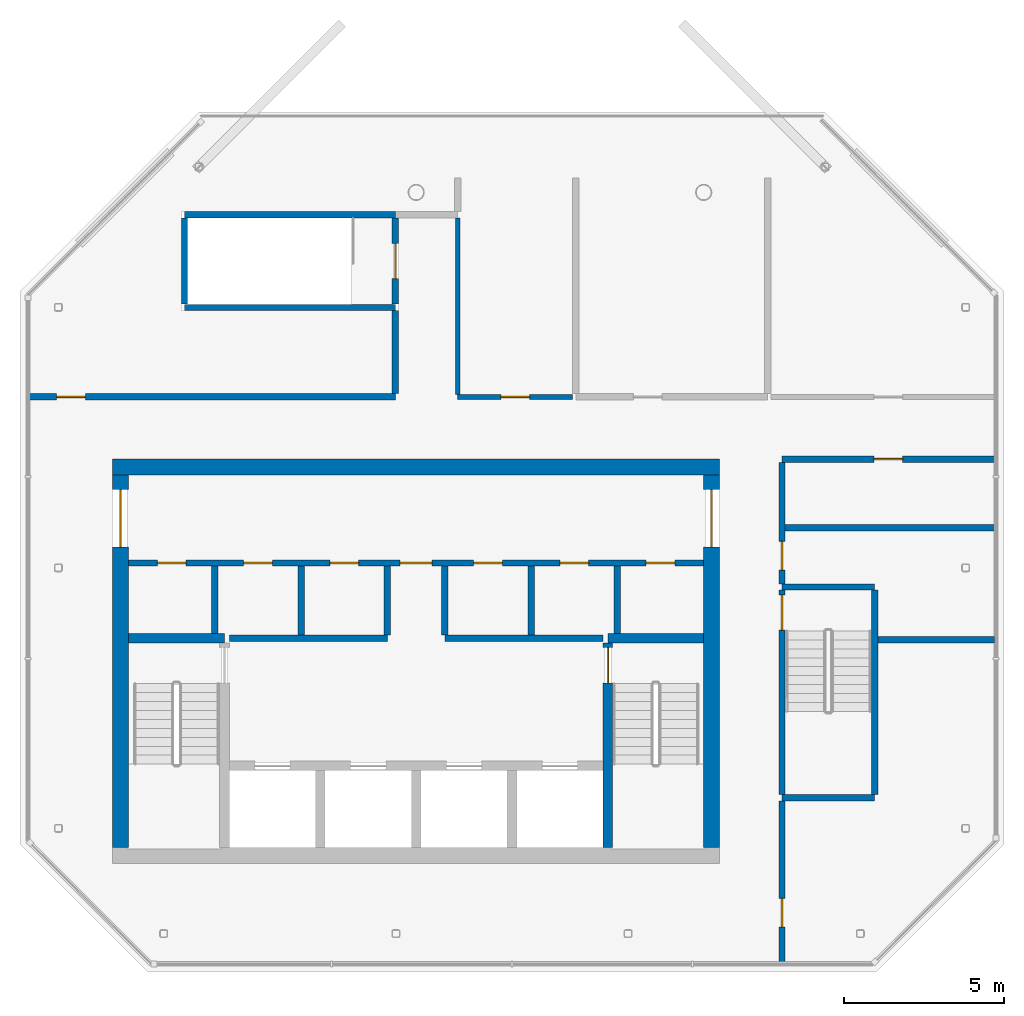
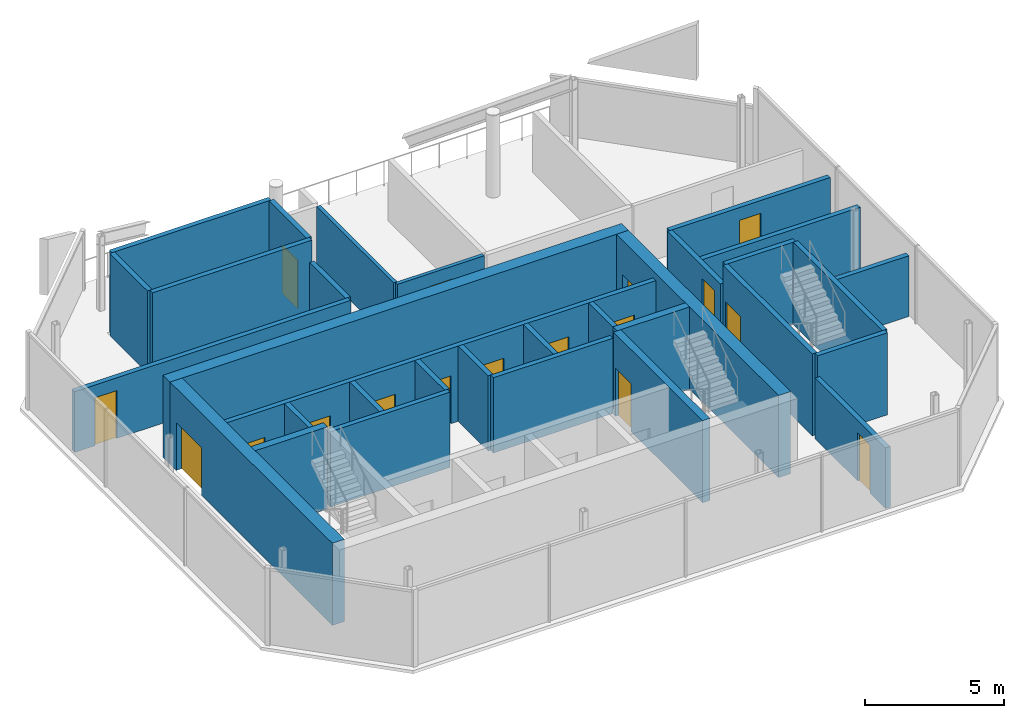
# One storey, part 3 of 5: 32 walls, 17 doors, 17 openings.
"""IFC4 building model written with IfcOpenShell, lengths in metres."""

from ifc_helpers import new_model, si_unit, direction, frame, frame_2d, origin, place, context, subcontext, project, spatial, polyline, rectangle, outline, extrude, material, layer, layer_set, type_object, element, fill, save


model = new_model("IFC4")

# Units and contexts
model_context = context("Model", 3, precision=1e-05, world=origin(), true_north=direction((0.0, 1.0)))
body_context = subcontext(model_context, "Body", "Model", "MODEL_VIEW")
ifc_project = project(units=[si_unit("LENGTHUNIT", "METRE"), si_unit("AREAUNIT", "SQUARE_METRE"), si_unit("VOLUMEUNIT", "CUBIC_METRE"), si_unit("PLANEANGLEUNIT", "RADIAN"), si_unit("MASSUNIT", "GRAM", prefix="KILO")], contexts=[model_context])

# Site, building, storey
site_placement = place(None, origin())
site = spatial("IfcSite", under=ifc_project, at=site_placement, CompositionType="ELEMENT")
building_placement = place(site_placement, origin())
building = spatial("IfcBuilding", under=site, at=building_placement, Name="Tskaro Facet Tower", CompositionType="ELEMENT")
storey_placement = place(building_placement, frame((0.0, 0.0, 300.89990234375)))
storey = spatial("IfcBuildingStorey", under=building, at=storey_placement, Name="L81", CompositionType="ELEMENT", Elevation=300.89990234375)

# Walls
ifc_material_1 = material(Name="Concrete C60/75", Category="concrete")
ifc_layer_1 = layer(ifc_material_1, 0.300048828125, Name="Concrete C60/75")
ifc_layer_set_1 = layer_set([ifc_layer_1], Name="Concrete C60/75")
wall_type_1 = type_object("IfcWallType", Name="CORE-SHAFT", PredefinedType="SHEAR", material=ifc_layer_set_1)
for number, where, z_axis, x_axis, name in (
    (1, (-9.0, -4.949951171875, 0.0), (0.0, 0.0, 1.0), (1.0, 0.0, 0.0), "Shaft wall W004"),
    (2, (6.0, -4.949951171875, 0.0), (0.0, 0.0, 1.0), (1.0, 0.0, 0.0), "Shaft wall W007"),
):
    element("IfcWall", number, at=place(storey_placement, frame(where, z_axis=z_axis, x_axis=x_axis)), inside=storey, type_object=wall_type_1, Name=name, PredefinedType="SHEAR", context=body_context, shape_type="SweptSolid", body=[
        extrude(rectangle(XDim=3.0, YDim=0.300048828125, at=frame_2d((1.5, 0.0))), origin(), (0.0, 0.0, 1.0), 3.60009765625),
    ])

# Wall, opening, door
wall_1_placement = place(storey_placement, frame((6.0, -5.10009765625, 0.0), z_axis=(0.0, 0.0, 1.0), x_axis=(0.0, -1.0, 0.0)))
wall_1 = element("IfcWall", 3, at=wall_1_placement, inside=storey, type_object=wall_type_1, Name="Shaft wall W034", PredefinedType="SHEAR", context=body_context, shape_type="SweptSolid", body=[
    extrude(rectangle(XDim=6.39990234375, YDim=0.300048828125, at=frame_2d((3.199951171875, 0.0))), origin(), (0.0, 0.0, 1.0), 3.60009765625),
])
opening_1_placement = place(wall_1_placement, frame((0.14990234375, 0.0, 0.0)))
opening_1 = element("IfcOpeningElement", 4, at=opening_1_placement, cuts=wall_1, Name="Opening ST-2-D1", PredefinedType="OPENING", context=body_context, shape_type="SweptSolid", body=[
    extrude(rectangle(XDim=1.10009765625, YDim=2.10009765625, at=frame_2d((0.550048828125, 1.050048828125))), frame((0.0, 0.159912109375, 0.0), z_axis=(0.0, -1.0, 0.0), x_axis=(1.0, 0.0, 0.0)), (0.0, 0.0, 1.0), 0.320068359375),
])
ifc_material_2 = material(Name="Steel", Category="steel")
door_type_1 = type_object("IfcDoorType", Name="D-STAIR", OperationType="NOTDEFINED", PredefinedType="DOOR", material=ifc_material_2)
door_1_placement = place(opening_1_placement, origin())
door_1 = element("IfcDoor", 5, at=door_1_placement, inside=storey, type_object=door_type_1, Name="Stair door 2", OperationType="SINGLE_SWING_RIGHT", OverallHeight=2.10009765625, OverallWidth=1.10009765625, PredefinedType="DOOR", context=body_context, shape_type="SweptSolid", body=[
    extrude(rectangle(XDim=1.10009765625, YDim=2.10009765625, at=frame_2d((0.550048828125, 1.050048828125))), frame((0.0, 0.02490234375, 0.0), z_axis=(0.0, -1.0, 0.0), x_axis=(1.0, 0.0, 0.0)), (0.0, 0.0, 1.0), 0.050048828125),
])
fill(opening_1, door_1)

# Walls
ifc_material_3 = material(Name="Concrete C20/25", Category="concrete")
ifc_layer_2 = layer(ifc_material_3, 0.199951171875, Name="Concrete C20/25")
ifc_layer_set_2 = layer_set([ifc_layer_2], Name="Concrete C20/25")
wall_type_2 = type_object("IfcWallType", Name="CORE-WALL", PredefinedType="SOLIDWALL", material=ifc_layer_set_2)
for number, where, z_axis, x_axis, name in (
    (6, (-5.85009765625, -4.949951171875, 0.0), (0.0, 0.0, 1.0), (1.0, 0.0, 0.0), "Core room wall W005"),
    (7, (0.89990234375, -4.949951171875, 0.0), (0.0, 0.0, 1.0), (1.0, 0.0, 0.0), "Core room wall W006"),
):
    element("IfcWall", number, at=place(storey_placement, frame(where, z_axis=z_axis, x_axis=x_axis)), inside=storey, type_object=wall_type_2, Name=name, PredefinedType="SOLIDWALL", context=body_context, shape_type="SweptSolid", body=[
        extrude(rectangle(XDim=4.9501953125, YDim=0.199951171875, at=frame_2d((2.47509765625, 0.0))), origin(), (0.0, 0.0, 1.0), 3.300048828125),
    ])

# Wall, openings, doors
wall_2_placement = place(storey_placement, frame((9.0, -2.60009765625, 0.0), z_axis=(0.0, 0.0, 1.0), x_axis=(-1.0, 0.0, 0.0)))
wall_2 = element("IfcWall", 8, at=wall_2_placement, inside=storey, type_object=wall_type_2, Name="Core room wall W009", PredefinedType="SOLIDWALL", context=body_context, shape_type="SweptSolid", body=[
    extrude(rectangle(XDim=18.0, YDim=0.199951171875, at=frame_2d((9.0, 0.0))), origin(), (0.0, 0.0, 1.0), 3.300048828125),
])
opening_2_placement = place(wall_2_placement, frame((8.5, 0.0, 0.0)))
opening_2 = element("IfcOpeningElement", 9, at=opening_2_placement, cuts=wall_2, Name="Opening FL-D1", PredefinedType="OPENING", context=body_context, shape_type="SweptSolid", body=[
    extrude(rectangle(XDim=1.0, YDim=2.10009765625, at=frame_2d((0.5, 1.050048828125))), frame((0.0, 0.10986328125, 0.0), z_axis=(0.0, -1.0, 0.0), x_axis=(1.0, 0.0, 0.0)), (0.0, 0.0, 1.0), 0.219970703125),
])
opening_3_placement = place(wall_2_placement, frame((16.199951171875, 0.0, 0.0)))
opening_3 = element("IfcOpeningElement", 10, at=opening_3_placement, cuts=wall_2, Name="Opening C81-D02", PredefinedType="OPENING", context=body_context, shape_type="SweptSolid", body=[
    extrude(rectangle(XDim=0.89990234375, YDim=2.10009765625, at=frame_2d((0.449951171875, 1.050048828125))), frame((0.0, 0.10986328125, 0.0), z_axis=(0.0, -1.0, 0.0), x_axis=(1.0, 0.0, 0.0)), (0.0, 0.0, 1.0), 0.219970703125),
])
opening_4_placement = place(wall_2_placement, frame((13.5, 0.0, 0.0)))
opening_4 = element("IfcOpeningElement", 11, at=opening_4_placement, cuts=wall_2, Name="Opening C81-D03", PredefinedType="OPENING", context=body_context, shape_type="SweptSolid", body=[
    extrude(rectangle(XDim=0.89990234375, YDim=2.10009765625, at=frame_2d((0.449951171875, 1.050048828125))), frame((0.0, 0.10986328125, 0.0), z_axis=(0.0, -1.0, 0.0), x_axis=(1.0, 0.0, 0.0)), (0.0, 0.0, 1.0), 0.219970703125),
])
opening_5_placement = place(wall_2_placement, frame((10.800048828125, 0.0, 0.0)))
opening_5 = element("IfcOpeningElement", 12, at=opening_5_placement, cuts=wall_2, Name="Opening C81-D04", PredefinedType="OPENING", context=body_context, shape_type="SweptSolid", body=[
    extrude(rectangle(XDim=0.89990234375, YDim=2.10009765625, at=frame_2d((0.449951171875, 1.050048828125))), frame((0.0, 0.10986328125, 0.0), z_axis=(0.0, -1.0, 0.0), x_axis=(1.0, 0.0, 0.0)), (0.0, 0.0, 1.0), 0.219970703125),
])
opening_6_placement = place(wall_2_placement, frame((6.300048828125, 0.0, 0.0)))
opening_6 = element("IfcOpeningElement", 13, at=opening_6_placement, cuts=wall_2, Name="Opening C81-D05", PredefinedType="OPENING", context=body_context, shape_type="SweptSolid", body=[
    extrude(rectangle(XDim=0.89990234375, YDim=2.10009765625, at=frame_2d((0.449951171875, 1.050048828125))), frame((0.0, 0.10986328125, 0.0), z_axis=(0.0, -1.0, 0.0), x_axis=(1.0, 0.0, 0.0)), (0.0, 0.0, 1.0), 0.219970703125),
])
opening_7_placement = place(wall_2_placement, frame((3.60009765625, 0.0, 0.0)))
opening_7 = element("IfcOpeningElement", 14, at=opening_7_placement, cuts=wall_2, Name="Opening C81-D06", PredefinedType="OPENING", context=body_context, shape_type="SweptSolid", body=[
    extrude(rectangle(XDim=0.89990234375, YDim=2.10009765625, at=frame_2d((0.449951171875, 1.050048828125))), frame((0.0, 0.10986328125, 0.0), z_axis=(0.0, -1.0, 0.0), x_axis=(1.0, 0.0, 0.0)), (0.0, 0.0, 1.0), 0.219970703125),
])
opening_8_placement = place(wall_2_placement, frame((0.89990234375, 0.0, 0.0)))
opening_8 = element("IfcOpeningElement", 15, at=opening_8_placement, cuts=wall_2, Name="Opening C81-D07", PredefinedType="OPENING", context=body_context, shape_type="SweptSolid", body=[
    extrude(rectangle(XDim=0.89990234375, YDim=2.10009765625, at=frame_2d((0.449951171875, 1.050048828125))), frame((0.0, 0.10986328125, 0.0), z_axis=(0.0, -1.0, 0.0), x_axis=(1.0, 0.0, 0.0)), (0.0, 0.0, 1.0), 0.219970703125),
])
door_type_2 = type_object("IfcDoorType", Name="D-LOBBY", OperationType="NOTDEFINED", PredefinedType="DOOR", material=ifc_material_2)
door_2_placement = place(opening_2_placement, origin())
door_2 = element("IfcDoor", 16, at=door_2_placement, inside=storey, type_object=door_type_2, Name="Lobby door FL", OperationType="SINGLE_SWING_RIGHT", OverallHeight=2.10009765625, OverallWidth=1.0, PredefinedType="DOOR", context=body_context, shape_type="SweptSolid", body=[
    extrude(rectangle(XDim=1.0, YDim=2.10009765625, at=frame_2d((0.5, 1.050048828125))), frame((0.0, 0.02490234375, 0.0), z_axis=(0.0, -1.0, 0.0), x_axis=(1.0, 0.0, 0.0)), (0.0, 0.0, 1.0), 0.050048828125),
])
fill(opening_2, door_2)
ifc_material_4 = material(Name="Timber", Category="wood")
door_type_3 = type_object("IfcDoorType", Name="D-ROOM", OperationType="NOTDEFINED", PredefinedType="DOOR", material=ifc_material_4)
door_3_placement = place(opening_3_placement, origin())
door_3 = element("IfcDoor", 17, at=door_3_placement, inside=storey, type_object=door_type_3, Name="Door C81-D02", OperationType="SINGLE_SWING_RIGHT", OverallHeight=2.10009765625, OverallWidth=0.89990234375, PredefinedType="DOOR", context=body_context, shape_type="SweptSolid", body=[
    extrude(rectangle(XDim=0.89990234375, YDim=2.10009765625, at=frame_2d((0.449951171875, 1.050048828125))), frame((0.0, 0.02490234375, 0.0), z_axis=(0.0, -1.0, 0.0), x_axis=(1.0, 0.0, 0.0)), (0.0, 0.0, 1.0), 0.050048828125),
])
fill(opening_3, door_3)
door_4_placement = place(opening_4_placement, origin())
door_4 = element("IfcDoor", 18, at=door_4_placement, inside=storey, type_object=door_type_3, Name="Door C81-D03", OperationType="SINGLE_SWING_RIGHT", OverallHeight=2.10009765625, OverallWidth=0.89990234375, PredefinedType="DOOR", context=body_context, shape_type="SweptSolid", body=[
    extrude(rectangle(XDim=0.89990234375, YDim=2.10009765625, at=frame_2d((0.449951171875, 1.050048828125))), frame((0.0, 0.02490234375, 0.0), z_axis=(0.0, -1.0, 0.0), x_axis=(1.0, 0.0, 0.0)), (0.0, 0.0, 1.0), 0.050048828125),
])
fill(opening_4, door_4)
door_5_placement = place(opening_5_placement, origin())
door_5 = element("IfcDoor", 19, at=door_5_placement, inside=storey, type_object=door_type_3, Name="Door C81-D04", OperationType="SINGLE_SWING_RIGHT", OverallHeight=2.10009765625, OverallWidth=0.89990234375, PredefinedType="DOOR", context=body_context, shape_type="SweptSolid", body=[
    extrude(rectangle(XDim=0.89990234375, YDim=2.10009765625, at=frame_2d((0.449951171875, 1.050048828125))), frame((0.0, 0.02490234375, 0.0), z_axis=(0.0, -1.0, 0.0), x_axis=(1.0, 0.0, 0.0)), (0.0, 0.0, 1.0), 0.050048828125),
])
fill(opening_5, door_5)
door_6_placement = place(opening_6_placement, origin())
door_6 = element("IfcDoor", 20, at=door_6_placement, inside=storey, type_object=door_type_3, Name="Door C81-D05", OperationType="SINGLE_SWING_RIGHT", OverallHeight=2.10009765625, OverallWidth=0.89990234375, PredefinedType="DOOR", context=body_context, shape_type="SweptSolid", body=[
    extrude(rectangle(XDim=0.89990234375, YDim=2.10009765625, at=frame_2d((0.449951171875, 1.050048828125))), frame((0.0, 0.02490234375, 0.0), z_axis=(0.0, -1.0, 0.0), x_axis=(1.0, 0.0, 0.0)), (0.0, 0.0, 1.0), 0.050048828125),
])
fill(opening_6, door_6)
door_7_placement = place(opening_7_placement, origin())
door_7 = element("IfcDoor", 21, at=door_7_placement, inside=storey, type_object=door_type_3, Name="Door C81-D06", OperationType="SINGLE_SWING_RIGHT", OverallHeight=2.10009765625, OverallWidth=0.89990234375, PredefinedType="DOOR", context=body_context, shape_type="SweptSolid", body=[
    extrude(rectangle(XDim=0.89990234375, YDim=2.10009765625, at=frame_2d((0.449951171875, 1.050048828125))), frame((0.0, 0.02490234375, 0.0), z_axis=(0.0, -1.0, 0.0), x_axis=(1.0, 0.0, 0.0)), (0.0, 0.0, 1.0), 0.050048828125),
])
fill(opening_7, door_7)
door_8_placement = place(opening_8_placement, origin())
door_8 = element("IfcDoor", 22, at=door_8_placement, inside=storey, type_object=door_type_3, Name="Door C81-D07", OperationType="SINGLE_SWING_RIGHT", OverallHeight=2.10009765625, OverallWidth=0.89990234375, PredefinedType="DOOR", context=body_context, shape_type="SweptSolid", body=[
    extrude(rectangle(XDim=0.89990234375, YDim=2.10009765625, at=frame_2d((0.449951171875, 1.050048828125))), frame((0.0, 0.02490234375, 0.0), z_axis=(0.0, -1.0, 0.0), x_axis=(1.0, 0.0, 0.0)), (0.0, 0.0, 1.0), 0.050048828125),
])
fill(opening_8, door_8)

# Walls
wall_3_placement = place(storey_placement, frame((-6.300048828125, -4.800048828125, 0.0), z_axis=(0.0, 0.0, 1.0), x_axis=(0.0, 1.0, 0.0)))
element("IfcWall", 23, at=wall_3_placement, inside=storey, type_object=wall_type_2, Name="Core room wall W020", PredefinedType="SOLIDWALL", context=body_context, shape_type="SweptSolid", body=[
    extrude(rectangle(XDim=2.10009765625, YDim=0.199951171875, at=frame_2d((1.050048828125, 0.0))), origin(), (0.0, 0.0, 1.0), 3.300048828125),
])
for number, where, z_axis, x_axis, name in (
    (24, (-3.60009765625, -4.85009765625, 0.0), (0.0, 0.0, 1.0), (0.0, 1.0, 0.0), "Core room wall W022"),
    (25, (-0.89990234375, -4.85009765625, 0.0), (0.0, 0.0, 1.0), (0.0, 1.0, 0.0), "Core room wall W024"),
    (26, (0.89990234375, -4.85009765625, 0.0), (0.0, 0.0, 1.0), (0.0, 1.0, 0.0), "Core room wall W028"),
    (27, (3.60009765625, -4.85009765625, 0.0), (0.0, 0.0, 1.0), (0.0, 1.0, 0.0), "Core room wall W032"),
):
    element("IfcWall", number, at=place(storey_placement, frame(where, z_axis=z_axis, x_axis=x_axis)), inside=storey, type_object=wall_type_2, Name=name, PredefinedType="SOLIDWALL", context=body_context, shape_type="SweptSolid", body=[
        extrude(rectangle(XDim=2.150146484375, YDim=0.199951171875, at=frame_2d((1.0751953125, 0.0))), origin(), (0.0, 0.0, 1.0), 3.300048828125),
    ])
wall_4_placement = place(storey_placement, frame((6.300048828125, -4.800048828125, 0.0), z_axis=(0.0, 0.0, 1.0), x_axis=(0.0, 1.0, 0.0)))
element("IfcWall", 28, at=wall_4_placement, inside=storey, type_object=wall_type_2, Name="Core room wall W035", PredefinedType="SOLIDWALL", context=body_context, shape_type="SweptSolid", body=[
    extrude(rectangle(XDim=2.10009765625, YDim=0.199951171875, at=frame_2d((1.050048828125, 0.0))), origin(), (0.0, 0.0, 1.0), 3.300048828125),
])
ifc_material_5 = material(Name="Concrete C40/50", Category="concrete")
ifc_layer_3 = layer(ifc_material_5, 0.5, Name="Concrete C40/50")
ifc_layer_set_3 = layer_set([ifc_layer_3], Name="Concrete C40/50")
wall_type_3 = type_object("IfcWallType", Name="Core wall 500", PredefinedType="SHEAR", material=ifc_layer_set_3)
wall_5_placement = place(storey_placement, frame((-9.5, 0.39990234375, 0.0), z_axis=(0.0, 0.0, 1.0), x_axis=(1.0, 0.0, 0.0)))
element("IfcWall", 29, at=wall_5_placement, inside=storey, type_object=wall_type_3, Name="Core wall CW-Z3N", PredefinedType="SHEAR", context=body_context, shape_type="SweptSolid", body=[
    extrude(outline(polyline([(0.0, 0.0), (19.0, 0.0), (19.0, 3.60009765625), (0.0, 3.60009765625), (0.0, 0.0)])), frame((0.0, 0.25, 0.0), z_axis=(0.0, -1.0, 0.0), x_axis=(1.0, 0.0, 0.0)), (0.0, 0.0, 1.0), 0.5),
])

# Wall, opening, door
wall_6_placement = place(storey_placement, frame((-9.25, -11.5, 0.0), z_axis=(0.0, 0.0, 1.0), x_axis=(0.0, 1.0, 0.0)))
wall_6 = element("IfcWall", 30, at=wall_6_placement, inside=storey, type_object=wall_type_3, Name="Core wall CW-Z3W", PredefinedType="SHEAR", context=body_context, shape_type="SweptSolid", body=[
    extrude(outline(polyline([(0.0, 0.0), (11.64990234375, 0.0), (11.64990234375, 3.60009765625), (0.0, 3.60009765625), (0.0, 0.0)])), frame((0.0, 0.25, 0.0), z_axis=(0.0, -1.0, 0.0), x_axis=(1.0, 0.0, 0.0)), (0.0, 0.0, 1.0), 0.5),
])
opening_9_placement = place(wall_6_placement, frame((9.39990234375, 0.0, 0.0)))
opening_9 = element("IfcOpeningElement", 31, at=opening_9_placement, cuts=wall_6, Name="Opening C81-D09", PredefinedType="OPENING", context=body_context, shape_type="SweptSolid", body=[
    extrude(rectangle(XDim=1.800048828125, YDim=2.10009765625, at=frame_2d((0.89990234375, 1.050048828125))), frame((0.0, 0.260009765625, 0.0), z_axis=(0.0, -1.0, 0.0), x_axis=(1.0, 0.0, 0.0)), (0.0, 0.0, 1.0), 0.52001953125),
])
door_type_4 = type_object("IfcDoorType", Name="D-CORE-PAIR", OperationType="NOTDEFINED", PredefinedType="DOOR", material=ifc_material_2)
door_9_placement = place(opening_9_placement, origin())
door_9 = element("IfcDoor", 32, at=door_9_placement, inside=storey, type_object=door_type_4, Name="Door C81-D09", OperationType="DOUBLE_DOOR_SINGLE_SWING", OverallHeight=2.10009765625, OverallWidth=1.800048828125, PredefinedType="DOOR", context=body_context, shape_type="SweptSolid", body=[
    extrude(rectangle(XDim=1.800048828125, YDim=2.10009765625, at=frame_2d((0.89990234375, 1.050048828125))), frame((0.0, 0.02490234375, 0.0), z_axis=(0.0, -1.0, 0.0), x_axis=(1.0, 0.0, 0.0)), (0.0, 0.0, 1.0), 0.050048828125),
])
fill(opening_9, door_9)

wall_7_placement = place(storey_placement, frame((9.25, -11.5, 0.0), z_axis=(0.0, 0.0, 1.0), x_axis=(0.0, 1.0, 0.0)))
wall_7 = element("IfcWall", 33, at=wall_7_placement, inside=storey, type_object=wall_type_3, Name="Core wall CW-Z3E", PredefinedType="SHEAR", context=body_context, shape_type="SweptSolid", body=[
    extrude(outline(polyline([(0.0, 0.0), (11.64990234375, 0.0), (11.64990234375, 3.60009765625), (0.0, 3.60009765625), (0.0, 0.0)])), frame((0.0, 0.25, 0.0), z_axis=(0.0, -1.0, 0.0), x_axis=(1.0, 0.0, 0.0)), (0.0, 0.0, 1.0), 0.5),
])
opening_10_placement = place(wall_7_placement, frame((9.39990234375, 0.0, 0.0)))
opening_10 = element("IfcOpeningElement", 34, at=opening_10_placement, cuts=wall_7, Name="Opening C81-D10", PredefinedType="OPENING", context=body_context, shape_type="SweptSolid", body=[
    extrude(rectangle(XDim=1.800048828125, YDim=2.10009765625, at=frame_2d((0.89990234375, 1.050048828125))), frame((0.0, 0.260009765625, 0.0), z_axis=(0.0, -1.0, 0.0), x_axis=(1.0, 0.0, 0.0)), (0.0, 0.0, 1.0), 0.52001953125),
])
door_10_placement = place(opening_10_placement, origin())
door_10 = element("IfcDoor", 35, at=door_10_placement, inside=storey, type_object=door_type_4, Name="Door C81-D10", OperationType="DOUBLE_DOOR_SINGLE_SWING", OverallHeight=2.10009765625, OverallWidth=1.800048828125, PredefinedType="DOOR", context=body_context, shape_type="SweptSolid", body=[
    extrude(rectangle(XDim=1.800048828125, YDim=2.10009765625, at=frame_2d((0.89990234375, 1.050048828125))), frame((0.0, 0.02490234375, 0.0), z_axis=(0.0, -1.0, 0.0), x_axis=(1.0, 0.0, 0.0)), (0.0, 0.0, 1.0), 0.050048828125),
])
fill(opening_10, door_10)

ifc_material_6 = material(Name="Gypsum board on steel studs", Category="steel")
ifc_layer_4 = layer(ifc_material_6, 0.14990234375, Name="Gypsum board on steel studs")
ifc_layer_set_4 = layer_set([ifc_layer_4], Name="Gypsum board on steel studs")
wall_type_4 = type_object("IfcWallType", Name="PART-CORR", PredefinedType="PARTITIONING", material=ifc_layer_set_4)
wall_8_placement = place(storey_placement, frame((1.300048828125, 2.60009765625, 0.0), z_axis=(0.0, 0.0, 1.0), x_axis=(1.0, 0.0, 0.0)))
wall_8 = element("IfcWall", 36, at=wall_8_placement, inside=storey, type_object=wall_type_4, Name="Corridor wall W013", PredefinedType="PARTITIONING", context=body_context, shape_type="SweptSolid", body=[
    extrude(rectangle(XDim=3.599853515625, YDim=0.14990234375, at=frame_2d((1.7998046875, 0.0))), origin(), (0.0, 0.0, 1.0), 2.66015625),
])
opening_11_placement = place(wall_8_placement, frame((1.35009765625, 0.0, 0.0)))
opening_11 = element("IfcOpeningElement", 37, at=opening_11_placement, cuts=wall_8, Name="Opening C81-D13", PredefinedType="OPENING", context=body_context, shape_type="SweptSolid", body=[
    extrude(rectangle(XDim=0.89990234375, YDim=2.10009765625, at=frame_2d((0.449951171875, 1.050048828125))), frame((0.0, 0.0849609375, 0.0), z_axis=(0.0, -1.0, 0.0), x_axis=(1.0, 0.0, 0.0)), (0.0, 0.0, 1.0), 0.169921875),
])
door_type_5 = type_object("IfcDoorType", Name="D-RISER", OperationType="NOTDEFINED", PredefinedType="DOOR", material=ifc_material_2)
door_11_placement = place(opening_11_placement, origin())
door_11 = element("IfcDoor", 38, at=door_11_placement, inside=storey, type_object=door_type_5, Name="Door C81-D13", OperationType="SINGLE_SWING_LEFT", OverallHeight=2.10009765625, OverallWidth=0.89990234375, PredefinedType="DOOR", context=body_context, shape_type="SweptSolid", body=[
    extrude(rectangle(XDim=0.89990234375, YDim=2.10009765625, at=frame_2d((0.449951171875, 1.050048828125))), frame((0.0, 0.02490234375, 0.0), z_axis=(0.0, -1.0, 0.0), x_axis=(1.0, 0.0, 0.0)), (0.0, 0.0, 1.0), 0.050048828125),
])
fill(opening_11, door_11)

# Walls
wall_9_placement = place(storey_placement, frame((1.300048828125, 2.675048828125, 0.0), z_axis=(0.0, 0.0, 1.0), x_axis=(0.0, 1.0, 0.0)))
element("IfcWall", 39, at=wall_9_placement, inside=storey, type_object=wall_type_4, Name="Corridor wall W029", PredefinedType="PARTITIONING", context=body_context, shape_type="SweptSolid", body=[
    extrude(rectangle(XDim=5.52490234375, YDim=0.14990234375, at=frame_2d((2.762451171875, 0.0))), origin(), (0.0, 0.0, 1.0), 2.66015625),
])
ifc_layer_5 = layer(ifc_material_1, 0.199951171875, Name="Concrete C60/75")
ifc_layer_set_5 = layer_set([ifc_layer_5], Name="Concrete C60/75")
wall_type_5 = type_object("IfcWallType", Name="STAIR-WALL", PredefinedType="SHEAR", material=ifc_layer_set_5)
for number, where, z_axis, x_axis, name in (
    (40, (11.449951171875, -9.949951171875, 0.0), (0.0, 0.0, 1.0), (1.0, 0.0, 0.0), "Stair wall W001"),
    (41, (11.449951171875, -3.35009765625, 0.0), (0.0, 0.0, 1.0), (1.0, 0.0, 0.0), "Stair wall W008"),
):
    element("IfcWall", number, at=place(storey_placement, frame(where, z_axis=z_axis, x_axis=x_axis)), inside=storey, type_object=wall_type_5, Name=name, PredefinedType="SHEAR", context=body_context, shape_type="SweptSolid", body=[
        extrude(rectangle(XDim=2.900146484375, YDim=0.199951171875, at=frame_2d((1.4501953125, 0.0))), origin(), (0.0, 0.0, 1.0), 3.60009765625),
    ])
for number, where, z_axis, x_axis, name in (
    (42, (-7.25, 5.39990234375, 0.0), (0.0, 0.0, 1.0), (1.0, 0.0, 0.0), "Stair wall W016"),
    (43, (-7.25, 8.300048828125, 0.0), (0.0, 0.0, 1.0), (1.0, 0.0, 0.0), "Stair wall W017"),
):
    element("IfcWall", number, at=place(storey_placement, frame(where, z_axis=z_axis, x_axis=x_axis)), inside=storey, type_object=wall_type_5, Name=name, PredefinedType="SHEAR", context=body_context, shape_type="SweptSolid", body=[
        extrude(rectangle(XDim=6.60009765625, YDim=0.199951171875, at=frame_2d((3.300048828125, 0.0))), origin(), (0.0, 0.0, 1.0), 3.60009765625),
    ])
wall_10_placement = place(storey_placement, frame((-7.25, 5.5, 0.0), z_axis=(0.0, 0.0, 1.0), x_axis=(0.0, 1.0, 0.0)))
element("IfcWall", 44, at=wall_10_placement, inside=storey, type_object=wall_type_5, Name="Stair wall W019", PredefinedType="SHEAR", context=body_context, shape_type="SweptSolid", body=[
    extrude(rectangle(XDim=2.699951171875, YDim=0.199951171875, at=frame_2d((1.35009765625, 0.0))), origin(), (0.0, 0.0, 1.0), 3.60009765625),
])

# Wall, opening, door
wall_11_placement = place(storey_placement, frame((-0.64990234375, 5.5, 0.0), z_axis=(0.0, 0.0, 1.0), x_axis=(0.0, 1.0, 0.0)))
wall_11 = element("IfcWall", 45, at=wall_11_placement, inside=storey, type_object=wall_type_5, Name="Stair wall W026", PredefinedType="SHEAR", context=body_context, shape_type="SweptSolid", body=[
    extrude(rectangle(XDim=2.699951171875, YDim=0.199951171875, at=frame_2d((1.35009765625, 0.0))), origin(), (0.0, 0.0, 1.0), 3.60009765625),
])
opening_12_placement = place(wall_11_placement, frame((0.800048828125, 0.0, 0.0)))
opening_12 = element("IfcOpeningElement", 46, at=opening_12_placement, cuts=wall_11, Name="Opening ST-3-D1", PredefinedType="OPENING", context=body_context, shape_type="SweptSolid", body=[
    extrude(rectangle(XDim=1.10009765625, YDim=2.10009765625, at=frame_2d((0.550048828125, 1.050048828125))), frame((0.0, 0.10986328125, 0.0), z_axis=(0.0, -1.0, 0.0), x_axis=(1.0, 0.0, 0.0)), (0.0, 0.0, 1.0), 0.219970703125),
])
door_12_placement = place(opening_12_placement, origin())
door_12 = element("IfcDoor", 47, at=door_12_placement, inside=storey, type_object=door_type_1, Name="Stair door 3", OperationType="SINGLE_SWING_LEFT", OverallHeight=2.10009765625, OverallWidth=1.10009765625, PredefinedType="DOOR", context=body_context, shape_type="SweptSolid", body=[
    extrude(rectangle(XDim=1.10009765625, YDim=2.10009765625, at=frame_2d((0.550048828125, 1.050048828125))), frame((0.0, 0.02490234375, 0.0), z_axis=(0.0, -1.0, 0.0), x_axis=(1.0, 0.0, 0.0)), (0.0, 0.0, 1.0), 0.050048828125),
])
fill(opening_12, door_12)

wall_12_placement = place(storey_placement, frame((11.449951171875, -3.449951171875, 0.0), z_axis=(0.0, 0.0, 1.0), x_axis=(0.0, -1.0, 0.0)))
wall_12 = element("IfcWall", 48, at=wall_12_placement, inside=storey, type_object=wall_type_5, Name="Stair wall W038", PredefinedType="SHEAR", context=body_context, shape_type="SweptSolid", body=[
    extrude(rectangle(XDim=6.400146484375, YDim=0.199951171875, at=frame_2d((3.2001953125, 0.0))), origin(), (0.0, 0.0, 1.0), 3.60009765625),
])
opening_13_placement = place(wall_12_placement, frame((0.14990234375, 0.0, 0.0)))
opening_13 = element("IfcOpeningElement", 49, at=opening_13_placement, cuts=wall_12, Name="Opening ST-4-D1", PredefinedType="OPENING", context=body_context, shape_type="SweptSolid", body=[
    extrude(rectangle(XDim=1.10009765625, YDim=2.10009765625, at=frame_2d((0.550048828125, 1.050048828125))), frame((0.0, 0.10986328125, 0.0), z_axis=(0.0, -1.0, 0.0), x_axis=(1.0, 0.0, 0.0)), (0.0, 0.0, 1.0), 0.219970703125),
])
door_13_placement = place(opening_13_placement, origin())
door_13 = element("IfcDoor", 50, at=door_13_placement, inside=storey, type_object=door_type_1, Name="Stair door 4", OperationType="SINGLE_SWING_RIGHT", OverallHeight=2.10009765625, OverallWidth=1.10009765625, PredefinedType="DOOR", context=body_context, shape_type="SweptSolid", body=[
    extrude(rectangle(XDim=1.10009765625, YDim=2.10009765625, at=frame_2d((0.550048828125, 1.050048828125))), frame((0.0, 0.02490234375, 0.0), z_axis=(0.0, -1.0, 0.0), x_axis=(1.0, 0.0, 0.0)), (0.0, 0.0, 1.0), 0.050048828125),
])
fill(opening_13, door_13)

# Walls
wall_13_placement = place(storey_placement, frame((14.35009765625, -9.85009765625, 0.0), z_axis=(0.0, 0.0, 1.0), x_axis=(0.0, 1.0, 0.0)))
element("IfcWall", 51, at=wall_13_placement, inside=storey, type_object=wall_type_5, Name="Stair wall W040", PredefinedType="SHEAR", context=body_context, shape_type="SweptSolid", body=[
    extrude(rectangle(XDim=6.400146484375, YDim=0.199951171875, at=frame_2d((3.2001953125, 0.0))), origin(), (0.0, 0.0, 1.0), 3.60009765625),
])
ifc_layer_6 = layer(ifc_material_3, 0.199951171875, Name="Concrete C20/25")
ifc_layer_set_6 = layer_set([ifc_layer_6], Name="Concrete C20/25")
wall_type_6 = type_object("IfcWallType", Name="WALL-RISER", PredefinedType="SOLIDWALL", material=ifc_layer_set_6)
wall_14_placement = place(storey_placement, frame((14.449951171875, -5.0, 0.0), z_axis=(0.0, 0.0, 1.0), x_axis=(1.0, 0.0, 0.0)))
element("IfcWall", 52, at=wall_14_placement, inside=storey, type_object=wall_type_6, Name="Riser room wall W003", PredefinedType="SOLIDWALL", context=body_context, shape_type="SweptSolid", body=[
    extrude(rectangle(XDim=3.650146484375, YDim=0.199951171875, at=frame_2d((1.8251953125, 0.0))), origin(), (0.0, 0.0, 1.0), 2.66015625),
])
wall_15_placement = place(storey_placement, frame((11.550048828125, -1.5, 0.0), z_axis=(0.0, 0.0, 1.0), x_axis=(1.0, 0.0, 0.0)))
element("IfcWall", 53, at=wall_15_placement, inside=storey, type_object=wall_type_6, Name="Riser room wall W010", PredefinedType="SOLIDWALL", context=body_context, shape_type="SweptSolid", body=[
    extrude(rectangle(XDim=6.550048828125, YDim=0.199951171875, at=frame_2d((3.27490234375, 0.0))), origin(), (0.0, 0.0, 1.0), 2.66015625),
])

# Wall, opening, door
wall_16_placement = place(storey_placement, frame((18.10009765625, 0.64990234375, 0.0), z_axis=(0.0, 0.0, 1.0), x_axis=(-1.0, 0.0, 0.0)))
wall_16 = element("IfcWall", 54, at=wall_16_placement, inside=storey, type_object=wall_type_6, Name="Riser room wall W011", PredefinedType="SOLIDWALL", context=body_context, shape_type="SweptSolid", body=[
    extrude(rectangle(XDim=6.650146484375, YDim=0.199951171875, at=frame_2d((3.3251953125, 0.0))), origin(), (0.0, 0.0, 1.0), 2.66015625),
])
opening_14_placement = place(wall_16_placement, frame((2.875, 0.0, 0.0)))
opening_14 = element("IfcOpeningElement", 55, at=opening_14_placement, cuts=wall_16, Name="Opening C81-D11", PredefinedType="OPENING", context=body_context, shape_type="SweptSolid", body=[
    extrude(rectangle(XDim=0.89990234375, YDim=2.10009765625, at=frame_2d((0.449951171875, 1.050048828125))), frame((0.0, 0.10986328125, 0.0), z_axis=(0.0, -1.0, 0.0), x_axis=(1.0, 0.0, 0.0)), (0.0, 0.0, 1.0), 0.219970703125),
])
door_14_placement = place(opening_14_placement, origin())
door_14 = element("IfcDoor", 56, at=door_14_placement, inside=storey, type_object=door_type_5, Name="Door C81-D11", OperationType="SINGLE_SWING_RIGHT", OverallHeight=2.10009765625, OverallWidth=0.89990234375, PredefinedType="DOOR", context=body_context, shape_type="SweptSolid", body=[
    extrude(rectangle(XDim=0.89990234375, YDim=2.10009765625, at=frame_2d((0.449951171875, 1.050048828125))), frame((0.0, 0.02490234375, 0.0), z_axis=(0.0, -1.0, 0.0), x_axis=(1.0, 0.0, 0.0)), (0.0, 0.0, 1.0), 0.050048828125),
])
fill(opening_14, door_14)

wall_17_placement = place(storey_placement, frame((-12.10009765625, 2.60009765625, 0.0), z_axis=(0.0, 0.0, 1.0), x_axis=(1.0, 0.0, 0.0)))
wall_17 = element("IfcWall", 57, at=wall_17_placement, inside=storey, type_object=wall_type_6, Name="Riser room wall W012", PredefinedType="SOLIDWALL", context=body_context, shape_type="SweptSolid", body=[
    extrude(rectangle(XDim=11.4501953125, YDim=0.199951171875, at=frame_2d((5.72509765625, 0.0))), origin(), (0.0, 0.0, 1.0), 2.66015625),
])
opening_15_placement = place(wall_17_placement, frame((0.85009765625, 0.0, 0.0)))
opening_15 = element("IfcOpeningElement", 58, at=opening_15_placement, cuts=wall_17, Name="Opening C81-D12", PredefinedType="OPENING", context=body_context, shape_type="SweptSolid", body=[
    extrude(rectangle(XDim=0.89990234375, YDim=2.10009765625, at=frame_2d((0.449951171875, 1.050048828125))), frame((0.0, 0.10986328125, 0.0), z_axis=(0.0, -1.0, 0.0), x_axis=(1.0, 0.0, 0.0)), (0.0, 0.0, 1.0), 0.219970703125),
])
door_15_placement = place(opening_15_placement, origin())
door_15 = element("IfcDoor", 59, at=door_15_placement, inside=storey, type_object=door_type_5, Name="Door C81-D12", OperationType="SINGLE_SWING_LEFT", OverallHeight=2.10009765625, OverallWidth=0.89990234375, PredefinedType="DOOR", context=body_context, shape_type="SweptSolid", body=[
    extrude(rectangle(XDim=0.89990234375, YDim=2.10009765625, at=frame_2d((0.449951171875, 1.050048828125))), frame((0.0, 0.02490234375, 0.0), z_axis=(0.0, -1.0, 0.0), x_axis=(1.0, 0.0, 0.0)), (0.0, 0.0, 1.0), 0.050048828125),
])
fill(opening_15, door_15)

# Wall
wall_18_placement = place(storey_placement, frame((-0.64990234375, 2.699951171875, 0.0), z_axis=(0.0, 0.0, 1.0), x_axis=(0.0, 1.0, 0.0)))
element("IfcWall", 60, at=wall_18_placement, inside=storey, type_object=wall_type_6, Name="Riser room wall W025", PredefinedType="SOLIDWALL", context=body_context, shape_type="SweptSolid", body=[
    extrude(rectangle(XDim=2.60009765625, YDim=0.199951171875, at=frame_2d((1.300048828125, 0.0))), origin(), (0.0, 0.0, 1.0), 2.66015625),
])

# Wall, opening, door
wall_19_placement = place(storey_placement, frame((11.449951171875, -10.050048828125, 0.0), z_axis=(0.0, 0.0, 1.0), x_axis=(0.0, -1.0, 0.0)))
wall_19 = element("IfcWall", 61, at=wall_19_placement, inside=storey, type_object=wall_type_6, Name="Riser room wall W037", PredefinedType="SOLIDWALL", context=body_context, shape_type="SweptSolid", body=[
    extrude(rectangle(XDim=5.050048828125, YDim=0.199951171875, at=frame_2d((2.52490234375, 0.0))), origin(), (0.0, 0.0, 1.0), 2.66015625),
])
opening_16_placement = place(wall_19_placement, frame((3.050048828125, 0.0, 0.0)))
opening_16 = element("IfcOpeningElement", 62, at=opening_16_placement, cuts=wall_19, Name="Opening C81-D01", PredefinedType="OPENING", context=body_context, shape_type="SweptSolid", body=[
    extrude(rectangle(XDim=0.89990234375, YDim=2.10009765625, at=frame_2d((0.449951171875, 1.050048828125))), frame((0.0, 0.10986328125, 0.0), z_axis=(0.0, -1.0, 0.0), x_axis=(1.0, 0.0, 0.0)), (0.0, 0.0, 1.0), 0.219970703125),
])
door_16_placement = place(opening_16_placement, origin())
door_16 = element("IfcDoor", 63, at=door_16_placement, inside=storey, type_object=door_type_5, Name="Door C81-D01", OperationType="SINGLE_SWING_RIGHT", OverallHeight=2.10009765625, OverallWidth=0.89990234375, PredefinedType="DOOR", context=body_context, shape_type="SweptSolid", body=[
    extrude(rectangle(XDim=0.89990234375, YDim=2.10009765625, at=frame_2d((0.449951171875, 1.050048828125))), frame((0.0, 0.02490234375, 0.0), z_axis=(0.0, -1.0, 0.0), x_axis=(1.0, 0.0, 0.0)), (0.0, 0.0, 1.0), 0.050048828125),
])
fill(opening_16, door_16)

wall_20_placement = place(storey_placement, frame((11.449951171875, 0.550048828125, 0.0), z_axis=(0.0, 0.0, 1.0), x_axis=(0.0, -1.0, 0.0)))
wall_20 = element("IfcWall", 64, at=wall_20_placement, inside=storey, type_object=wall_type_6, Name="Riser room wall W039", PredefinedType="SOLIDWALL", context=body_context, shape_type="SweptSolid", body=[
    extrude(rectangle(XDim=3.800048828125, YDim=0.199951171875, at=frame_2d((1.89990234375, 0.0))), origin(), (0.0, 0.0, 1.0), 2.66015625),
])
opening_17_placement = place(wall_20_placement, frame((2.47509765625, 0.0, 0.0)))
opening_17 = element("IfcOpeningElement", 65, at=opening_17_placement, cuts=wall_20, Name="Opening C81-D08", PredefinedType="OPENING", context=body_context, shape_type="SweptSolid", body=[
    extrude(rectangle(XDim=0.89990234375, YDim=2.10009765625, at=frame_2d((0.449951171875, 1.050048828125))), frame((0.0, 0.10986328125, 0.0), z_axis=(0.0, -1.0, 0.0), x_axis=(1.0, 0.0, 0.0)), (0.0, 0.0, 1.0), 0.219970703125),
])
door_17_placement = place(opening_17_placement, origin())
door_17 = element("IfcDoor", 66, at=door_17_placement, inside=storey, type_object=door_type_5, Name="Door C81-D08", OperationType="SINGLE_SWING_RIGHT", OverallHeight=2.10009765625, OverallWidth=0.89990234375, PredefinedType="DOOR", context=body_context, shape_type="SweptSolid", body=[
    extrude(rectangle(XDim=0.89990234375, YDim=2.10009765625, at=frame_2d((0.449951171875, 1.050048828125))), frame((0.0, 0.02490234375, 0.0), z_axis=(0.0, -1.0, 0.0), x_axis=(1.0, 0.0, 0.0)), (0.0, 0.0, 1.0), 0.050048828125),
])
fill(opening_17, door_17)

save(model, "model.ifc")
